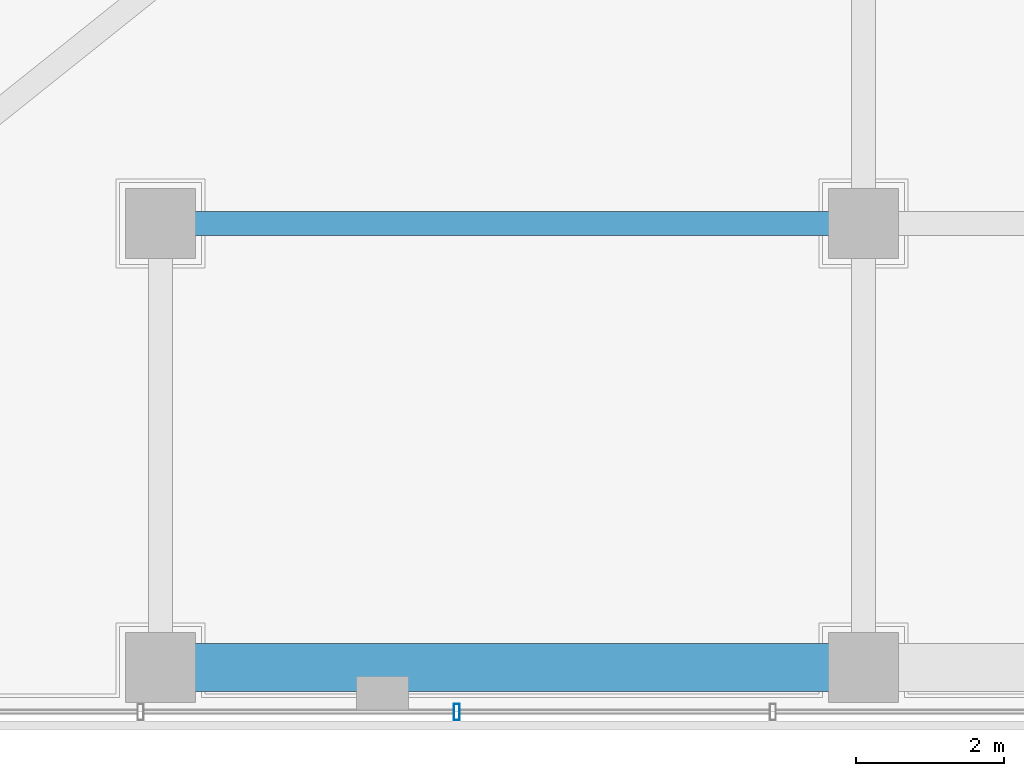
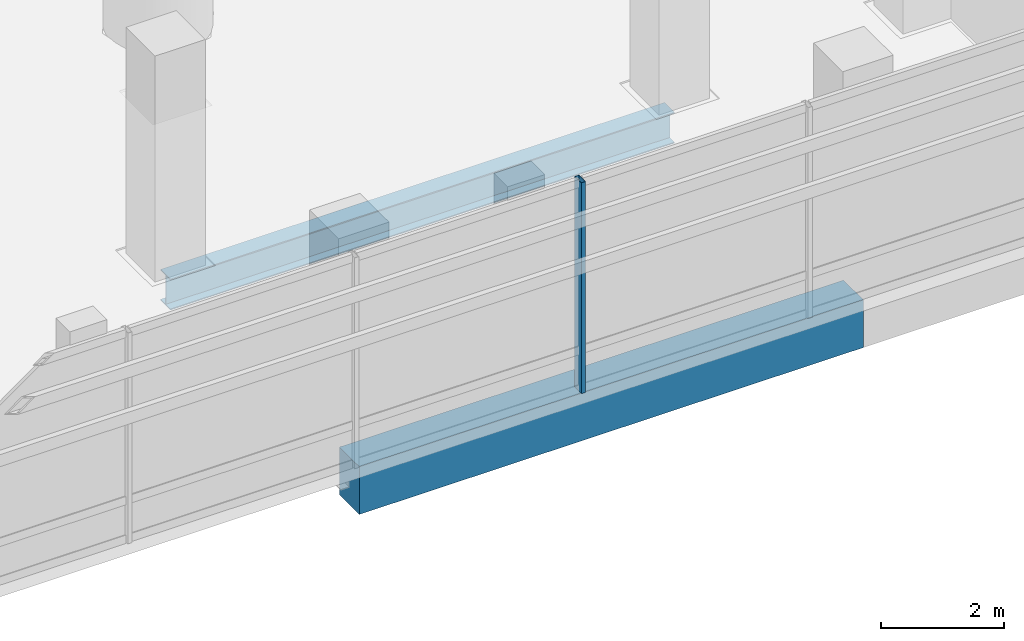
# One storey, part 9 of 36: 2 beams, 1 member, 1 element without a shape of its own.
"""IFC4 building model written with IfcOpenShell, lengths in metres."""

from ifc_helpers import new_model, si_unit, direction, frame, origin, origin_2d, place, context, subcontext, project, spatial, rectangle, hollow_rectangle, i_section, extrude, source, transform, mapped, material, material_profile, profile_set, type_object, element, aggregate, save


model = new_model("IFC4")

# Units and contexts
model_context = context("Model", 3, precision=1e-05, world=origin(), true_north=direction((-0.2419218956, 0.970295726276)))
body_context = subcontext(model_context, "Body", "Model", "MODEL_VIEW")
ifc_project = project(units=[si_unit("LENGTHUNIT", "METRE"), si_unit("AREAUNIT", "SQUARE_METRE"), si_unit("VOLUMEUNIT", "CUBIC_METRE"), si_unit("PLANEANGLEUNIT", "RADIAN"), si_unit("MASSUNIT", "GRAM", prefix="KILO")], contexts=[model_context])

# Site, building, storey
site_placement = place(None, origin())
site = spatial("IfcSite", under=ifc_project, at=site_placement, CompositionType="ELEMENT")
building_placement = place(site_placement, origin())
building = spatial("IfcBuilding", under=site, at=building_placement, Name="Cobrevalo Terracotta Tower", CompositionType="ELEMENT")
storey_placement = place(building_placement, frame((0.0, 0.0, 9.89990234375)))
storey = spatial("IfcBuildingStorey", under=building, at=storey_placement, Name="L02", CompositionType="ELEMENT", Elevation=9.89990234375)

# Beams
ifc_material_1 = material(Name="Steel S355", Category="steel")
ifc_material_profile_1 = material_profile(ifc_material_1, i_section(OverallWidth=0.324951171875, OverallDepth=0.615966796875, WebThickness=0.013916015625, FlangeThickness=0.021484375, at=origin_2d()), Name="W 610x174")
ifc_profile_set_1 = profile_set([ifc_material_profile_1], Name="Steel S355")
beam_type_1 = type_object("IfcBeamType", Name="Structural Beam W 610x174 (Steel S355)", PredefinedType="BEAM", material=ifc_profile_set_1)
beam_1_placement = place(storey_placement, frame((57.5, 8.800048828125, -0.60791015625), z_axis=(1.0, 0.0, 0.0), x_axis=(0.0, 1.0, 0.0)))
element("IfcBeam", 1, at=beam_1_placement, inside=storey, type_object=beam_type_1, Name="L02 podium grid beam G7-GB to G8-GB", PredefinedType="BEAM", context=body_context, shape_type="SweptSolid", body=[
    extrude(i_section(OverallWidth=0.324951171875, OverallDepth=0.615966796875, WebThickness=0.013916015625, FlangeThickness=0.021484375, at=origin_2d()), origin(), (0.0, 0.0, 1.0), 9.5),
])
ifc_material_2 = material(Name="Concrete C50", Category="concrete")
ifc_material_profile_2 = material_profile(ifc_material_2, rectangle(XDim=0.64990234375, YDim=0.949951171875, at=origin_2d()), Name="RC BM 650x950")
ifc_profile_set_2 = profile_set([ifc_material_profile_2], Name="Concrete C50")
beam_type_2 = type_object("IfcBeamType", Name="Structural Spandrel RC BM 650x950 (Concrete C50)", PredefinedType="SPANDREL", material=ifc_profile_set_2)
beam_2_placement = place(storey_placement, frame((57.5, 2.800048828125, -0.77490234375), z_axis=(1.0, 0.0, 0.0), x_axis=(0.0, 1.0, 0.0)))
element("IfcBeam", 2, at=beam_2_placement, inside=storey, type_object=beam_type_2, Name="L02 podium grid beam G7-GA to G8-GA", PredefinedType="SPANDREL", context=body_context, shape_type="SweptSolid", body=[
    extrude(rectangle(XDim=0.64990234375, YDim=0.949951171875, at=origin_2d()), origin(), (0.0, 0.0, 1.0), 9.5),
])

# Curtain wall, member
ifc_material_3 = material(Name="Anodized aluminium", Category="aluminium")
curtain_wall_type = type_object("IfcCurtainWallType", Name="Podium gallery & conservatory curtain wall CW-S2", PredefinedType="NOTDEFINED", material=ifc_material_3)
curtain_wall_placement = place(storey_placement, origin())
curtain_wall = element("IfcCurtainWall", 3, at=curtain_wall_placement, inside=storey, type_object=curtain_wall_type, Name="L02 curtain wall CW-POD-L02-S", PredefinedType="NOTDEFINED")
ifc_material_profile_3 = material_profile(ifc_material_3, hollow_rectangle(XDim=0.080078125, YDim=0.219970703125, WallThickness=0.0048828125, at=origin_2d()), Name="CWM 80x220")
ifc_profile_set_3 = profile_set([ifc_material_profile_3], Name="Anodized aluminium")
member_type = type_object("IfcMemberType", Name="Storefront & atrium aluminium mullion 80x220", PredefinedType="MULLION", material=ifc_profile_set_3)
shared_shape = source(origin(), body_context, "Body", "SweptSolid", [
    extrude(hollow_rectangle(XDim=0.080078125, YDim=0.219970703125, WallThickness=0.0048828125, at=origin_2d()), origin(), (0.0, 0.0, 1.0), 4.2001953125),
])
member_placement = place(storey_placement, frame((61.50341796875, 2.199951171875, 0.0), z_axis=(0.0, 0.0, 1.0), x_axis=(1.0, 0.0, 0.0)))
member = element("IfcMember", 4, at=member_placement, type_object=member_type, Name="CW-POD-L02-S vertical mullion 14", PredefinedType="MULLION", context=body_context, shape_type="MappedRepresentation", body=[
    mapped(shared_shape, transform((0.0, 0.0, 0.0), scale=1.0)),
])
aggregate(curtain_wall, [member])

save(model, "model.ifc")
